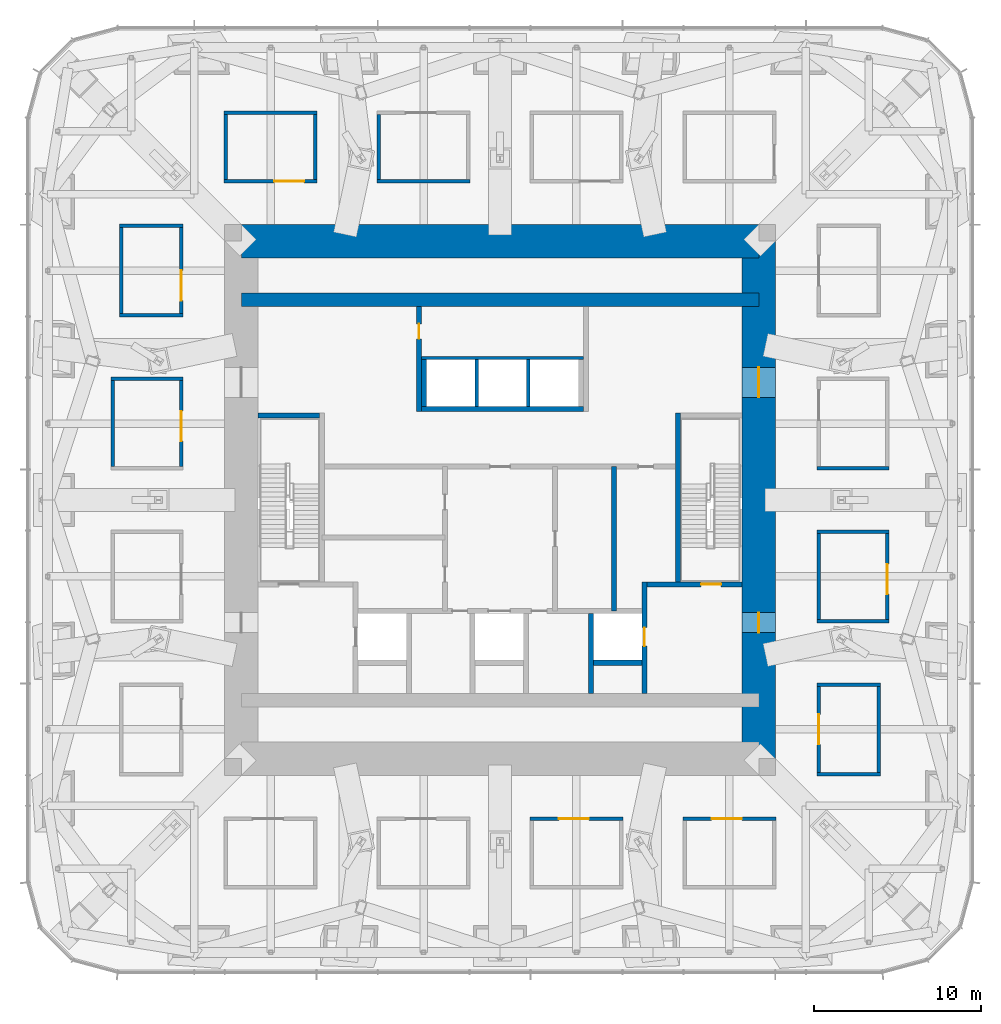
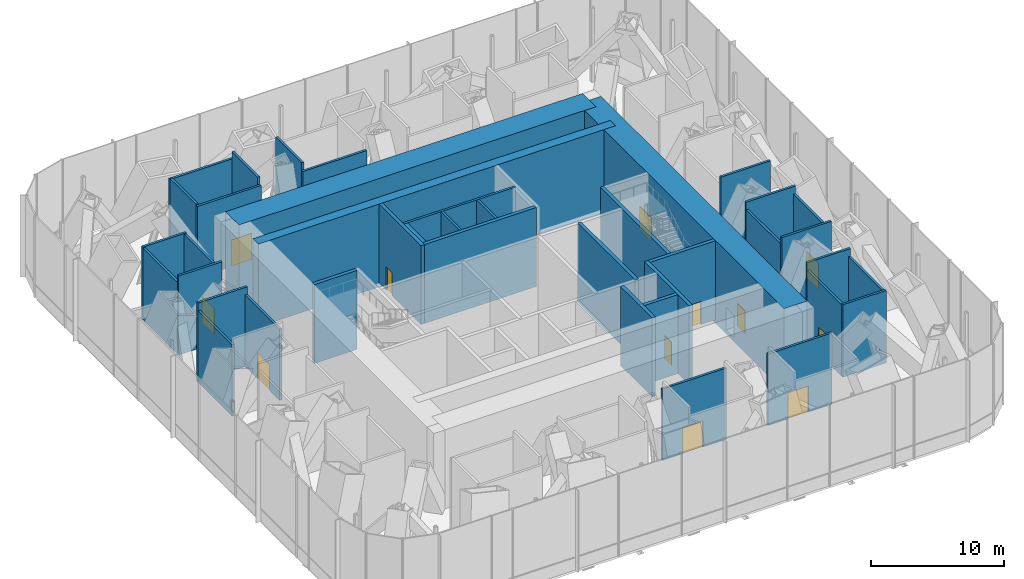
# One storey, part 13 of 16: 40 walls, 12 doors, 12 openings.
"""IFC4 building model written with IfcOpenShell, lengths in metres."""

from ifc_helpers import new_model, si_unit, direction, frame, frame_2d, origin, place, context, subcontext, project, spatial, rectangle, extrude, material, layer, layer_set, type_object, element, fill, save


model = new_model("IFC4")

# Units and contexts
model_context = context("Model", 3, precision=1e-05, world=origin(), true_north=direction((0.0, 1.0)))
body_context = subcontext(model_context, "Body", "Model", "MODEL_VIEW")
ifc_project = project(units=[si_unit("LENGTHUNIT", "METRE"), si_unit("AREAUNIT", "SQUARE_METRE"), si_unit("VOLUMEUNIT", "CUBIC_METRE"), si_unit("PLANEANGLEUNIT", "RADIAN"), si_unit("MASSUNIT", "GRAM", prefix="KILO")], contexts=[model_context])

# Site, building, storey
site_placement = place(None, origin())
site = spatial("IfcSite", under=ifc_project, at=site_placement, CompositionType="ELEMENT")
building_placement = place(site_placement, origin())
building = spatial("IfcBuilding", under=site, at=building_placement, Name="Khuree Lantern Residences", CompositionType="ELEMENT")
storey_placement = place(building_placement, frame((0.0, 0.0, 192.0)))
storey = spatial("IfcBuildingStorey", under=building, at=storey_placement, Name="L48", CompositionType="ELEMENT", Elevation=192.0)

# Wall, opening, door
ifc_material_1 = material(Name="Dense concrete blockwork", Category="masonry")
ifc_layer_1 = layer(ifc_material_1, 0.300048828125)
ifc_layer_set_1 = layer_set([ifc_layer_1], Name="CORE PARTITION WALL CPW300 EI 120")
wall_type_1 = type_object("IfcWallType", Name="CORE PARTITION WALL CPW300 EI 120", PredefinedType="PARTITIONING", material=ifc_layer_set_1)
wall_1_placement = place(storey_placement, frame((8.64990234375, -11.60009765625, 0.0), z_axis=(0.0, 0.0, 1.0), x_axis=(0.0, 1.0, 0.0)))
wall_1 = element("IfcWall", 1, at=wall_1_placement, inside=storey, type_object=wall_type_1, Name="L48 CORE WALL FL2E", PredefinedType="PARTITIONING", context=body_context, shape_type="SweptSolid", body=[
    extrude(rectangle(XDim=6.7001953125, YDim=0.300048828125, at=frame_2d((3.35009765625, 0.0))), origin(), (0.0, 0.0, 1.0), 7.25),
])
opening_1_placement = place(wall_1_placement, frame((2.85009765625, 0.0, 0.0)))
opening_1 = element("IfcOpeningElement", 2, at=opening_1_placement, cuts=wall_1, Name="Opening 48-008", PredefinedType="OPENING", context=body_context, shape_type="SweptSolid", body=[
    extrude(rectangle(XDim=1.10009765625, YDim=2.10009765625, at=frame_2d((0.550048828125, 1.050048828125))), frame((0.0, 0.16015625, 0.0), z_axis=(0.0, -1.0, 0.0), x_axis=(1.0, 0.0, 0.0)), (0.0, 0.0, 1.0), 0.320068359375),
])
ifc_material_2 = material(Name="Stainless steel lift landing door", Category="steel")
door_type_1 = type_object("IfcDoorType", Name="LIFT LANDING DOOR 1100X2100 E 120", OperationType="DOUBLE_DOOR_SLIDING", PredefinedType="DOOR", material=ifc_material_2)
door_1_placement = place(opening_1_placement, origin())
door_1 = element("IfcDoor", 3, at=door_1_placement, inside=storey, type_object=door_type_1, Name="Landing door FL2 48-008", OperationType="DOUBLE_DOOR_SLIDING", OverallHeight=2.10009765625, OverallWidth=1.10009765625, PredefinedType="DOOR", context=body_context, shape_type="SweptSolid", body=[
    extrude(rectangle(XDim=1.10009765625, YDim=2.10009765625, at=frame_2d((0.550048828125, 1.050048828125))), frame((0.0, 0.02490234375, 0.0), z_axis=(0.0, -1.0, 0.0), x_axis=(1.0, 0.0, 0.0)), (0.0, 0.0, 1.0), 0.050048828125),
])
fill(opening_1, door_1)

# Walls
wall_2_placement = place(storey_placement, frame((5.449951171875, -11.60009765625, 0.0), z_axis=(0.0, 0.0, 1.0), x_axis=(0.0, 1.0, 0.0)))
element("IfcWall", 4, at=wall_2_placement, inside=storey, type_object=wall_type_1, Name="L48 CORE WALL FL2W", PredefinedType="PARTITIONING", context=body_context, shape_type="SweptSolid", body=[
    extrude(rectangle(XDim=4.800048828125, YDim=0.300048828125, at=frame_2d((2.39990234375, 0.0))), origin(), (0.0, 0.0, 1.0), 7.25),
])
wall_3_placement = place(storey_placement, frame((5.60009765625, -9.75, 0.0), z_axis=(0.0, 0.0, 1.0), x_axis=(1.0, 0.0, 0.0)))
element("IfcWall", 5, at=wall_3_placement, inside=storey, type_object=wall_type_1, Name="L48 CORE WALL FL2S", PredefinedType="PARTITIONING", context=body_context, shape_type="SweptSolid", body=[
    extrude(rectangle(XDim=2.89990234375, YDim=0.300048828125, at=frame_2d((1.449951171875, 0.0))), origin(), (0.0, 0.0, 1.0), 7.25),
])
wall_4_placement = place(storey_placement, frame((-4.699951171875, 5.449951171875, 0.0), z_axis=(0.0, 0.0, 1.0), x_axis=(1.0, 0.0, 0.0)))
element("IfcWall", 6, at=wall_4_placement, inside=storey, type_object=wall_type_1, Name="L48 CORE WALL PHS", PredefinedType="PARTITIONING", context=body_context, shape_type="SweptSolid", body=[
    extrude(rectangle(XDim=9.699951171875, YDim=0.300048828125, at=frame_2d((4.85009765625, 0.0))), origin(), (0.0, 0.0, 1.0), 7.25),
])
wall_5_placement = place(storey_placement, frame((-4.550048828125, 5.60009765625, 0.0), z_axis=(0.0, 0.0, 1.0), x_axis=(0.0, 1.0, 0.0)))
element("IfcWall", 7, at=wall_5_placement, inside=storey, type_object=wall_type_1, Name="L48 CORE WALL PHW", PredefinedType="PARTITIONING", context=body_context, shape_type="SweptSolid", body=[
    extrude(rectangle(XDim=2.7998046875, YDim=0.300048828125, at=frame_2d((1.39990234375, 0.0))), origin(), (0.0, 0.0, 1.0), 7.25),
])
wall_6_placement = place(storey_placement, frame((6.833984375, -6.64990234375, 0.0), z_axis=(0.0, 0.0, 1.0), x_axis=(0.0, 1.0, 0.0)))
element("IfcWall", 8, at=wall_6_placement, inside=storey, type_object=wall_type_1, Name="L48 CORE WALL EV", PredefinedType="PARTITIONING", context=body_context, shape_type="SweptSolid", body=[
    extrude(rectangle(XDim=8.64990234375, YDim=0.300048828125, at=frame_2d((4.324951171875, 0.0))), origin(), (0.0, 0.0, 1.0), 7.25),
])

# Wall, opening, door
wall_7_placement = place(storey_placement, frame((-4.85009765625, 5.300048828125, 0.0), z_axis=(0.0, 0.0, 1.0), x_axis=(0.0, 1.0, 0.0)))
wall_7 = element("IfcWall", 9, at=wall_7_placement, inside=storey, type_object=wall_type_1, Name="L48 CORE WALL NW", PredefinedType="PARTITIONING", context=body_context, shape_type="SweptSolid", body=[
    extrude(rectangle(XDim=6.300048828125, YDim=0.300048828125, at=frame_2d((3.14990234375, 0.0))), origin(), (0.0, 0.0, 1.0), 7.25),
])
opening_2_placement = place(wall_7_placement, frame((4.35009765625, 0.0, 0.0)))
opening_2 = element("IfcOpeningElement", 10, at=opening_2_placement, cuts=wall_7, Name="Opening 48-017", PredefinedType="OPENING", context=body_context, shape_type="SweptSolid", body=[
    extrude(rectangle(XDim=0.89990234375, YDim=2.10009765625, at=frame_2d((0.449951171875, 1.050048828125))), frame((0.0, 0.16015625, 0.0), z_axis=(0.0, -1.0, 0.0), x_axis=(1.0, 0.0, 0.0)), (0.0, 0.0, 1.0), 0.320068359375),
])
ifc_material_3 = material(Name="Timber door leaf in hardwood frame", Category="wood")
door_type_2 = type_object("IfcDoorType", Name="DOOR 900X2100 RIGHT HAND", OperationType="SINGLE_SWING_RIGHT", PredefinedType="DOOR", material=ifc_material_3)
door_2_placement = place(opening_2_placement, origin())
door_2 = element("IfcDoor", 11, at=door_2_placement, inside=storey, type_object=door_type_2, Name="Store door 48-017", OperationType="SINGLE_SWING_RIGHT", OverallHeight=2.10009765625, OverallWidth=0.89990234375, PredefinedType="DOOR", context=body_context, shape_type="SweptSolid", body=[
    extrude(rectangle(XDim=0.89990234375, YDim=2.10009765625, at=frame_2d((0.449951171875, 1.050048828125))), frame((0.0, 0.02490234375, 0.0), z_axis=(0.0, -1.0, 0.0), x_axis=(1.0, 0.0, 0.0)), (0.0, 0.0, 1.0), 0.050048828125),
])
fill(opening_2, door_2)

# Wall, openings, doors
ifc_material_4 = material(Name="Concrete C70/85", Category="concrete")
ifc_layer_2 = layer(ifc_material_4, 2.0)
ifc_layer_set_2 = layer_set([ifc_layer_2], Name="CW2000-C70 CORE WALL C70 2000")
wall_type_2 = type_object("IfcWallType", Name="CW2000-C70 CORE WALL C70 2000", PredefinedType="SHEAR", material=ifc_layer_set_2)
wall_8_placement = place(storey_placement, frame((15.5, -15.5, -0.35009765625), z_axis=(0.0, 0.0, 1.0), x_axis=(0.0, 1.0, 0.0)))
wall_8 = element("IfcWall", 12, at=wall_8_placement, inside=storey, type_object=wall_type_2, Name="Core wall E", PredefinedType="SHEAR", context=body_context, shape_type="SweptSolid", body=[
    extrude(rectangle(XDim=31.0, YDim=2.0, at=frame_2d((15.5, 0.0))), origin(), (0.0, 0.0, 1.0), 7.60009765625),
])
opening_3_placement = place(wall_8_placement, frame((7.550048828125, 0.0, 0.35009765625)))
opening_3 = element("IfcOpeningElement", 13, at=opening_3_placement, cuts=wall_8, Name="Opening 48-005", PredefinedType="OPENING", context=body_context, shape_type="SweptSolid", body=[
    extrude(rectangle(XDim=1.199951171875, YDim=2.10009765625, at=frame_2d((0.60009765625, 1.050048828125))), frame((0.0, 1.010009765625, 0.0), z_axis=(0.0, -1.0, 0.0), x_axis=(1.0, 0.0, 0.0)), (0.0, 0.0, 1.0), 2.02001953125),
])
opening_4_placement = place(wall_8_placement, frame((21.64990234375, 0.0, 0.35009765625)))
opening_4 = element("IfcOpeningElement", 14, at=opening_4_placement, cuts=wall_8, Name="Opening 48-006", PredefinedType="OPENING", context=body_context, shape_type="SweptSolid", body=[
    extrude(rectangle(XDim=1.800048828125, YDim=2.10009765625, at=frame_2d((0.89990234375, 1.050048828125))), frame((0.0, 1.010009765625, 0.0), z_axis=(0.0, -1.0, 0.0), x_axis=(1.0, 0.0, 0.0)), (0.0, 0.0, 1.0), 2.02001953125),
])
ifc_material_5 = material(Name="Steel door leaf in steel frame", Category="steel")
door_type_3 = type_object("IfcDoorType", Name="LOBBY DOOR 1200X2100 EI 120 RIGHT HAND", OperationType="SINGLE_SWING_RIGHT", PredefinedType="DOOR", material=ifc_material_5)
door_3_placement = place(opening_3_placement, origin())
door_3 = element("IfcDoor", 15, at=door_3_placement, inside=storey, type_object=door_type_3, Name="Firefighting lobby door 48-005", OperationType="SINGLE_SWING_RIGHT", OverallHeight=2.10009765625, OverallWidth=1.199951171875, PredefinedType="DOOR", context=body_context, shape_type="SweptSolid", body=[
    extrude(rectangle(XDim=1.199951171875, YDim=2.10009765625, at=frame_2d((0.60009765625, 1.050048828125))), frame((0.0, 0.02490234375, 0.0), z_axis=(0.0, -1.0, 0.0), x_axis=(1.0, 0.0, 0.0)), (0.0, 0.0, 1.0), 0.050048828125),
])
fill(opening_3, door_3)
door_type_4 = type_object("IfcDoorType", Name="LOBBY DOUBLE DOOR 1800X2100 EI 60", OperationType="DOUBLE_DOOR_SINGLE_SWING", PredefinedType="DOOR", material=ifc_material_5)
door_4_placement = place(opening_4_placement, origin())
door_4 = element("IfcDoor", 16, at=door_4_placement, inside=storey, type_object=door_type_4, Name="Lift lobby door 48-006", OperationType="DOUBLE_DOOR_SINGLE_SWING", OverallHeight=2.10009765625, OverallWidth=1.800048828125, PredefinedType="DOOR", context=body_context, shape_type="SweptSolid", body=[
    extrude(rectangle(XDim=1.800048828125, YDim=2.10009765625, at=frame_2d((0.89990234375, 1.050048828125))), frame((0.0, 0.02490234375, 0.0), z_axis=(0.0, -1.0, 0.0), x_axis=(1.0, 0.0, 0.0)), (0.0, 0.0, 1.0), 0.050048828125),
])
fill(opening_4, door_4)

# Wall
wall_9_placement = place(storey_placement, frame((-15.5, 15.5, -0.35009765625), z_axis=(0.0, 0.0, 1.0), x_axis=(1.0, 0.0, 0.0)))
element("IfcWall", 17, at=wall_9_placement, inside=storey, type_object=wall_type_2, Name="Core wall N", PredefinedType="SHEAR", context=body_context, shape_type="SweptSolid", body=[
    extrude(rectangle(XDim=31.0, YDim=2.0, at=frame_2d((15.5, 0.0))), origin(), (0.0, 0.0, 1.0), 7.60009765625),
])

# Wall, opening, door
ifc_layer_3 = layer(ifc_material_1, 0.199951171875)
ifc_layer_set_3 = layer_set([ifc_layer_3], Name="FIRE-RATED ROOM WALL FRW200 EI 120")
wall_type_3 = type_object("IfcWallType", Name="FIRE-RATED ROOM WALL FRW200 EI 120", PredefinedType="SOLIDWALL", material=ifc_layer_set_3)
wall_10_placement = place(storey_placement, frame((1.800048828125, -19.10009765625, 0.0), z_axis=(0.0, 0.0, 1.0), x_axis=(1.0, 0.0, 0.0)))
wall_10 = element("IfcWall", 18, at=wall_10_placement, inside=storey, type_object=wall_type_3, Name="L48 ROOM WALL 15", PredefinedType="SOLIDWALL", context=body_context, shape_type="SweptSolid", body=[
    extrude(rectangle(XDim=5.56005859375, YDim=0.199951171875, at=frame_2d((2.780029296875, 0.0))), origin(), (0.0, 0.0, 1.0), 6.56005859375),
])
opening_5_placement = place(wall_10_placement, frame((1.721923828125, 0.0, 0.0)))
opening_5 = element("IfcOpeningElement", 19, at=opening_5_placement, cuts=wall_10, Name="Opening 48-031", PredefinedType="OPENING", context=body_context, shape_type="SweptSolid", body=[
    extrude(rectangle(XDim=1.800048828125, YDim=2.39990234375, at=frame_2d((0.89990234375, 1.199951171875))), frame((0.0, 0.10986328125, 0.0), z_axis=(0.0, -1.0, 0.0), x_axis=(1.0, 0.0, 0.0)), (0.0, 0.0, 1.0), 0.219970703125),
])
door_type_5 = type_object("IfcDoorType", Name="PLANT ROOM DOOR 1800X2400 EI 60", OperationType="DOUBLE_DOOR_SINGLE_SWING", PredefinedType="DOOR", material=ifc_material_5)
door_5_placement = place(opening_5_placement, origin())
door_5 = element("IfcDoor", 20, at=door_5_placement, inside=storey, type_object=door_type_5, Name="Lift motor plant room door 48-031", OperationType="DOUBLE_DOOR_SINGLE_SWING", OverallHeight=2.39990234375, OverallWidth=1.800048828125, PredefinedType="DOOR", context=body_context, shape_type="SweptSolid", body=[
    extrude(rectangle(XDim=1.800048828125, YDim=2.39990234375, at=frame_2d((0.89990234375, 1.199951171875))), frame((0.0, 0.02490234375, 0.0), z_axis=(0.0, -1.0, 0.0), x_axis=(1.0, 0.0, 0.0)), (0.0, 0.0, 1.0), 0.050048828125),
])
fill(opening_5, door_5)

wall_11_placement = place(storey_placement, frame((10.9599609375, -19.10009765625, 0.0), z_axis=(0.0, 0.0, 1.0), x_axis=(1.0, 0.0, 0.0)))
wall_11 = element("IfcWall", 21, at=wall_11_placement, inside=storey, type_object=wall_type_3, Name="L48 ROOM WALL 16", PredefinedType="SOLIDWALL", context=body_context, shape_type="SweptSolid", body=[
    extrude(rectangle(XDim=5.56005859375, YDim=0.199951171875, at=frame_2d((2.780029296875, 0.0))), origin(), (0.0, 0.0, 1.0), 6.56005859375),
])
opening_6_placement = place(wall_11_placement, frame((1.721923828125, 0.0, 0.0)))
opening_6 = element("IfcOpeningElement", 22, at=opening_6_placement, cuts=wall_11, Name="Opening 48-033", PredefinedType="OPENING", context=body_context, shape_type="SweptSolid", body=[
    extrude(rectangle(XDim=1.800048828125, YDim=2.39990234375, at=frame_2d((0.89990234375, 1.199951171875))), frame((0.0, 0.10986328125, 0.0), z_axis=(0.0, -1.0, 0.0), x_axis=(1.0, 0.0, 0.0)), (0.0, 0.0, 1.0), 0.219970703125),
])
door_6_placement = place(opening_6_placement, origin())
door_6 = element("IfcDoor", 23, at=door_6_placement, inside=storey, type_object=door_type_5, Name="Building management room door 48-033", OperationType="DOUBLE_DOOR_SINGLE_SWING", OverallHeight=2.39990234375, OverallWidth=1.800048828125, PredefinedType="DOOR", context=body_context, shape_type="SweptSolid", body=[
    extrude(rectangle(XDim=1.800048828125, YDim=2.39990234375, at=frame_2d((0.89990234375, 1.199951171875))), frame((0.0, 0.02490234375, 0.0), z_axis=(0.0, -1.0, 0.0), x_axis=(1.0, 0.0, 0.0)), (0.0, 0.0, 1.0), 0.050048828125),
])
fill(opening_6, door_6)

# Wall
wall_12_placement = place(storey_placement, frame((19.0, -16.419921875, 0.0), z_axis=(0.0, 0.0, 1.0), x_axis=(1.0, 0.0, 0.0)))
element("IfcWall", 24, at=wall_12_placement, inside=storey, type_object=wall_type_3, Name="L48 ROOM WALL 18", PredefinedType="SOLIDWALL", context=body_context, shape_type="SweptSolid", body=[
    extrude(rectangle(XDim=3.780029296875, YDim=0.199951171875, at=frame_2d((1.89013671875, 0.0))), origin(), (0.0, 0.0, 1.0), 6.64990234375),
])

# Wall, opening, door
wall_13_placement = place(storey_placement, frame((19.10009765625, -16.320068359375, 0.0), z_axis=(0.0, 0.0, 1.0), x_axis=(0.0, 1.0, 0.0)))
wall_13 = element("IfcWall", 25, at=wall_13_placement, inside=storey, type_object=wall_type_3, Name="L48 ROOM WALL 21", PredefinedType="SOLIDWALL", context=body_context, shape_type="SweptSolid", body=[
    extrude(rectangle(XDim=5.16015625, YDim=0.199951171875, at=frame_2d((2.580078125, 0.0))), origin(), (0.0, 0.0, 1.0), 6.56005859375),
])
opening_7_placement = place(wall_13_placement, frame((1.677978515625, 0.0, 0.0)))
opening_7 = element("IfcOpeningElement", 26, at=opening_7_placement, cuts=wall_13, Name="Opening 48-020", PredefinedType="OPENING", context=body_context, shape_type="SweptSolid", body=[
    extrude(rectangle(XDim=1.800048828125, YDim=2.39990234375, at=frame_2d((0.89990234375, 1.199951171875))), frame((0.0, 0.10986328125, 0.0), z_axis=(0.0, -1.0, 0.0), x_axis=(1.0, 0.0, 0.0)), (0.0, 0.0, 1.0), 0.219970703125),
])
door_7_placement = place(opening_7_placement, origin())
door_7 = element("IfcDoor", 27, at=door_7_placement, inside=storey, type_object=door_type_5, Name="Transformer room door 48-020", OperationType="DOUBLE_DOOR_SINGLE_SWING", OverallHeight=2.39990234375, OverallWidth=1.800048828125, PredefinedType="DOOR", context=body_context, shape_type="SweptSolid", body=[
    extrude(rectangle(XDim=1.800048828125, YDim=2.39990234375, at=frame_2d((0.89990234375, 1.199951171875))), frame((0.0, 0.02490234375, 0.0), z_axis=(0.0, -1.0, 0.0), x_axis=(1.0, 0.0, 0.0)), (0.0, 0.0, 1.0), 0.050048828125),
])
fill(opening_7, door_7)

# Walls
wall_14_placement = place(storey_placement, frame((22.679931640625, -16.320068359375, 0.0), z_axis=(0.0, 0.0, 1.0), x_axis=(0.0, 1.0, 0.0)))
element("IfcWall", 28, at=wall_14_placement, inside=storey, type_object=wall_type_3, Name="L48 ROOM WALL 22", PredefinedType="SOLIDWALL", context=body_context, shape_type="SweptSolid", body=[
    extrude(rectangle(XDim=5.16015625, YDim=0.199951171875, at=frame_2d((2.580078125, 0.0))), origin(), (0.0, 0.0, 1.0), 6.56005859375),
])
wall_15_placement = place(storey_placement, frame((19.0, -11.06005859375, 0.0), z_axis=(0.0, 0.0, 1.0), x_axis=(1.0, 0.0, 0.0)))
element("IfcWall", 29, at=wall_15_placement, inside=storey, type_object=wall_type_3, Name="L48 ROOM WALL 24", PredefinedType="SOLIDWALL", context=body_context, shape_type="SweptSolid", body=[
    extrude(rectangle(XDim=3.780029296875, YDim=0.199951171875, at=frame_2d((1.89013671875, 0.0))), origin(), (0.0, 0.0, 1.0), 7.25),
])
wall_16_placement = place(storey_placement, frame((19.0, -7.260009765625, 0.0), z_axis=(0.0, 0.0, 1.0), x_axis=(1.0, 0.0, 0.0)))
element("IfcWall", 30, at=wall_16_placement, inside=storey, type_object=wall_type_3, Name="L48 ROOM WALL 26", PredefinedType="SOLIDWALL", context=body_context, shape_type="SweptSolid", body=[
    extrude(rectangle(XDim=4.300048828125, YDim=0.199951171875, at=frame_2d((2.14990234375, 0.0))), origin(), (0.0, 0.0, 1.0), 7.25),
])
wall_17_placement = place(storey_placement, frame((19.10009765625, -7.159912109375, 0.0), z_axis=(0.0, 0.0, 1.0), x_axis=(0.0, 1.0, 0.0)))
element("IfcWall", 31, at=wall_17_placement, inside=storey, type_object=wall_type_3, Name="L48 ROOM WALL 29", PredefinedType="SOLIDWALL", context=body_context, shape_type="SweptSolid", body=[
    extrude(rectangle(XDim=5.159912109375, YDim=0.199951171875, at=frame_2d((2.580078125, 0.0))), origin(), (0.0, 0.0, 1.0), 6.56005859375),
])

# Wall, opening, door
wall_18_placement = place(storey_placement, frame((23.199951171875, -7.159912109375, 0.0), z_axis=(0.0, 0.0, 1.0), x_axis=(0.0, 1.0, 0.0)))
wall_18 = element("IfcWall", 32, at=wall_18_placement, inside=storey, type_object=wall_type_3, Name="L48 ROOM WALL 30", PredefinedType="SOLIDWALL", context=body_context, shape_type="SweptSolid", body=[
    extrude(rectangle(XDim=5.159912109375, YDim=0.199951171875, at=frame_2d((2.580078125, 0.0))), origin(), (0.0, 0.0, 1.0), 6.56005859375),
])
opening_8_placement = place(wall_18_placement, frame((1.52197265625, 0.0, 0.0)))
opening_8 = element("IfcOpeningElement", 33, at=opening_8_placement, cuts=wall_18, Name="Opening 48-018", PredefinedType="OPENING", context=body_context, shape_type="SweptSolid", body=[
    extrude(rectangle(XDim=1.800048828125, YDim=2.39990234375, at=frame_2d((0.89990234375, 1.199951171875))), frame((0.0, 0.10986328125, 0.0), z_axis=(0.0, -1.0, 0.0), x_axis=(1.0, 0.0, 0.0)), (0.0, 0.0, 1.0), 0.219970703125),
])
door_8_placement = place(opening_8_placement, origin())
door_8 = element("IfcDoor", 34, at=door_8_placement, inside=storey, type_object=door_type_5, Name="Booster pump plant room door 48-018", OperationType="DOUBLE_DOOR_SINGLE_SWING", OverallHeight=2.39990234375, OverallWidth=1.800048828125, PredefinedType="DOOR", context=body_context, shape_type="SweptSolid", body=[
    extrude(rectangle(XDim=1.800048828125, YDim=2.39990234375, at=frame_2d((0.89990234375, 1.199951171875))), frame((0.0, 0.02490234375, 0.0), z_axis=(0.0, -1.0, 0.0), x_axis=(1.0, 0.0, 0.0)), (0.0, 0.0, 1.0), 0.050048828125),
])
fill(opening_8, door_8)

# Walls
for number, where, z_axis, x_axis, name in (
    (35, (19.0, -1.89990234375, 0.0), (0.0, 0.0, 1.0), (1.0, 0.0, 0.0), "L48 ROOM WALL 32"),
    (36, (19.0, 1.89990234375, 0.0), (0.0, 0.0, 1.0), (1.0, 0.0, 0.0), "L48 ROOM WALL 34"),
):
    element("IfcWall", number, at=place(storey_placement, frame(where, z_axis=z_axis, x_axis=x_axis)), inside=storey, type_object=wall_type_3, Name=name, PredefinedType="SOLIDWALL", context=body_context, shape_type="SweptSolid", body=[
        extrude(rectangle(XDim=4.300048828125, YDim=0.199951171875, at=frame_2d((2.14990234375, 0.0))), origin(), (0.0, 0.0, 1.0), 7.25),
    ])
wall_19_placement = place(storey_placement, frame((-23.199951171875, 2.0, 0.0), z_axis=(0.0, 0.0, 1.0), x_axis=(0.0, 1.0, 0.0)))
element("IfcWall", 37, at=wall_19_placement, inside=storey, type_object=wall_type_3, Name="L48 ROOM WALL 35", PredefinedType="SOLIDWALL", context=body_context, shape_type="SweptSolid", body=[
    extrude(rectangle(XDim=5.159912109375, YDim=0.199951171875, at=frame_2d((2.580078125, 0.0))), origin(), (0.0, 0.0, 1.0), 6.56005859375),
])

# Wall, opening, door
wall_20_placement = place(storey_placement, frame((-19.10009765625, 2.0, 0.0), z_axis=(0.0, 0.0, 1.0), x_axis=(0.0, 1.0, 0.0)))
wall_20 = element("IfcWall", 38, at=wall_20_placement, inside=storey, type_object=wall_type_3, Name="L48 ROOM WALL 36", PredefinedType="SOLIDWALL", context=body_context, shape_type="SweptSolid", body=[
    extrude(rectangle(XDim=5.159912109375, YDim=0.199951171875, at=frame_2d((2.580078125, 0.0))), origin(), (0.0, 0.0, 1.0), 6.56005859375),
])
opening_9_placement = place(wall_20_placement, frame((1.52197265625, 0.0, 0.0)))
opening_9 = element("IfcOpeningElement", 39, at=opening_9_placement, cuts=wall_20, Name="Opening 48-026", PredefinedType="OPENING", context=body_context, shape_type="SweptSolid", body=[
    extrude(rectangle(XDim=1.800048828125, YDim=2.39990234375, at=frame_2d((0.89990234375, 1.199951171875))), frame((0.0, 0.10986328125, 0.0), z_axis=(0.0, -1.0, 0.0), x_axis=(1.0, 0.0, 0.0)), (0.0, 0.0, 1.0), 0.219970703125),
])
door_9_placement = place(opening_9_placement, origin())
door_9 = element("IfcDoor", 40, at=door_9_placement, inside=storey, type_object=door_type_5, Name="Transfer water tank room door 48-026", OperationType="DOUBLE_DOOR_SINGLE_SWING", OverallHeight=2.39990234375, OverallWidth=1.800048828125, PredefinedType="DOOR", context=body_context, shape_type="SweptSolid", body=[
    extrude(rectangle(XDim=1.800048828125, YDim=2.39990234375, at=frame_2d((0.89990234375, 1.199951171875))), frame((0.0, 0.02490234375, 0.0), z_axis=(0.0, -1.0, 0.0), x_axis=(1.0, 0.0, 0.0)), (0.0, 0.0, 1.0), 0.050048828125),
])
fill(opening_9, door_9)

# Walls
wall_21_placement = place(storey_placement, frame((-23.300048828125, 7.260009765625, 0.0), z_axis=(0.0, 0.0, 1.0), x_axis=(1.0, 0.0, 0.0)))
element("IfcWall", 41, at=wall_21_placement, inside=storey, type_object=wall_type_3, Name="L48 ROOM WALL 39", PredefinedType="SOLIDWALL", context=body_context, shape_type="SweptSolid", body=[
    extrude(rectangle(XDim=4.300048828125, YDim=0.199951171875, at=frame_2d((2.14990234375, 0.0))), origin(), (0.0, 0.0, 1.0), 7.25),
])
wall_22_placement = place(storey_placement, frame((-22.780029296875, 11.06005859375, 0.0), z_axis=(0.0, 0.0, 1.0), x_axis=(1.0, 0.0, 0.0)))
element("IfcWall", 42, at=wall_22_placement, inside=storey, type_object=wall_type_3, Name="L48 ROOM WALL 41", PredefinedType="SOLIDWALL", context=body_context, shape_type="SweptSolid", body=[
    extrude(rectangle(XDim=3.780029296875, YDim=0.199951171875, at=frame_2d((1.89013671875, 0.0))), origin(), (0.0, 0.0, 1.0), 7.25),
])
wall_23_placement = place(storey_placement, frame((-22.679931640625, 11.159912109375, 0.0), z_axis=(0.0, 0.0, 1.0), x_axis=(0.0, 1.0, 0.0)))
element("IfcWall", 43, at=wall_23_placement, inside=storey, type_object=wall_type_3, Name="L48 ROOM WALL 43", PredefinedType="SOLIDWALL", context=body_context, shape_type="SweptSolid", body=[
    extrude(rectangle(XDim=5.16015625, YDim=0.199951171875, at=frame_2d((2.580078125, 0.0))), origin(), (0.0, 0.0, 1.0), 6.56005859375),
])

# Wall, opening, door
wall_24_placement = place(storey_placement, frame((-19.10009765625, 11.159912109375, 0.0), z_axis=(0.0, 0.0, 1.0), x_axis=(0.0, 1.0, 0.0)))
wall_24 = element("IfcWall", 44, at=wall_24_placement, inside=storey, type_object=wall_type_3, Name="L48 ROOM WALL 44", PredefinedType="SOLIDWALL", context=body_context, shape_type="SweptSolid", body=[
    extrude(rectangle(XDim=5.16015625, YDim=0.199951171875, at=frame_2d((2.580078125, 0.0))), origin(), (0.0, 0.0, 1.0), 6.56005859375),
])
opening_10_placement = place(wall_24_placement, frame((0.7880859375, 0.0, 0.0)))
opening_10 = element("IfcOpeningElement", 45, at=opening_10_placement, cuts=wall_24, Name="Opening 48-028", PredefinedType="OPENING", context=body_context, shape_type="SweptSolid", body=[
    extrude(rectangle(XDim=1.800048828125, YDim=2.39990234375, at=frame_2d((0.89990234375, 1.199951171875))), frame((0.0, 0.10986328125, 0.0), z_axis=(0.0, -1.0, 0.0), x_axis=(1.0, 0.0, 0.0)), (0.0, 0.0, 1.0), 0.219970703125),
])
door_10_placement = place(opening_10_placement, origin())
door_10 = element("IfcDoor", 46, at=door_10_placement, inside=storey, type_object=door_type_5, Name="Electrical switch room door 48-028", OperationType="DOUBLE_DOOR_SINGLE_SWING", OverallHeight=2.39990234375, OverallWidth=1.800048828125, PredefinedType="DOOR", context=body_context, shape_type="SweptSolid", body=[
    extrude(rectangle(XDim=1.800048828125, YDim=2.39990234375, at=frame_2d((0.89990234375, 1.199951171875))), frame((0.0, 0.02490234375, 0.0), z_axis=(0.0, -1.0, 0.0), x_axis=(1.0, 0.0, 0.0)), (0.0, 0.0, 1.0), 0.050048828125),
])
fill(opening_10, door_10)

# Wall
wall_25_placement = place(storey_placement, frame((-22.780029296875, 16.419921875, 0.0), z_axis=(0.0, 0.0, 1.0), x_axis=(1.0, 0.0, 0.0)))
element("IfcWall", 47, at=wall_25_placement, inside=storey, type_object=wall_type_3, Name="L48 ROOM WALL 47", PredefinedType="SOLIDWALL", context=body_context, shape_type="SweptSolid", body=[
    extrude(rectangle(XDim=3.780029296875, YDim=0.199951171875, at=frame_2d((1.89013671875, 0.0))), origin(), (0.0, 0.0, 1.0), 6.64990234375),
])

# Wall, opening, door
wall_26_placement = place(storey_placement, frame((-16.52001953125, 19.10009765625, 0.0), z_axis=(0.0, 0.0, 1.0), x_axis=(1.0, 0.0, 0.0)))
wall_26 = element("IfcWall", 48, at=wall_26_placement, inside=storey, type_object=wall_type_3, Name="L48 ROOM WALL 49", PredefinedType="SOLIDWALL", context=body_context, shape_type="SweptSolid", body=[
    extrude(rectangle(XDim=5.56005859375, YDim=0.199951171875, at=frame_2d((2.780029296875, 0.0))), origin(), (0.0, 0.0, 1.0), 6.56005859375),
])
opening_11_placement = place(wall_26_placement, frame((2.98388671875, 0.0, 0.0)))
opening_11 = element("IfcOpeningElement", 49, at=opening_11_placement, cuts=wall_26, Name="Opening 48-025", PredefinedType="OPENING", context=body_context, shape_type="SweptSolid", body=[
    extrude(rectangle(XDim=1.800048828125, YDim=2.39990234375, at=frame_2d((0.89990234375, 1.199951171875))), frame((0.0, 0.10986328125, 0.0), z_axis=(0.0, -1.0, 0.0), x_axis=(1.0, 0.0, 0.0)), (0.0, 0.0, 1.0), 0.219970703125),
])
door_11_placement = place(opening_11_placement, origin())
door_11 = element("IfcDoor", 50, at=door_11_placement, inside=storey, type_object=door_type_5, Name="Sprinkler valve plant room door 48-025", OperationType="DOUBLE_DOOR_SINGLE_SWING", OverallHeight=2.39990234375, OverallWidth=1.800048828125, PredefinedType="DOOR", context=body_context, shape_type="SweptSolid", body=[
    extrude(rectangle(XDim=1.800048828125, YDim=2.39990234375, at=frame_2d((0.89990234375, 1.199951171875))), frame((0.0, 0.02490234375, 0.0), z_axis=(0.0, -1.0, 0.0), x_axis=(1.0, 0.0, 0.0)), (0.0, 0.0, 1.0), 0.050048828125),
])
fill(opening_11, door_11)

# Walls
wall_27_placement = place(storey_placement, frame((-7.360107421875, 19.10009765625, 0.0), z_axis=(0.0, 0.0, 1.0), x_axis=(1.0, 0.0, 0.0)))
element("IfcWall", 51, at=wall_27_placement, inside=storey, type_object=wall_type_3, Name="L48 ROOM WALL 50", PredefinedType="SOLIDWALL", context=body_context, shape_type="SweptSolid", body=[
    extrude(rectangle(XDim=5.56005859375, YDim=0.199951171875, at=frame_2d((2.780029296875, 0.0))), origin(), (0.0, 0.0, 1.0), 6.56005859375),
])
wall_28_placement = place(storey_placement, frame((-16.419921875, 19.199951171875, 0.0), z_axis=(0.0, 0.0, 1.0), x_axis=(0.0, 1.0, 0.0)))
element("IfcWall", 52, at=wall_28_placement, inside=storey, type_object=wall_type_3, Name="L48 ROOM WALL 53", PredefinedType="SOLIDWALL", context=body_context, shape_type="SweptSolid", body=[
    extrude(rectangle(XDim=3.900146484375, YDim=0.199951171875, at=frame_2d((1.9501953125, 0.0))), origin(), (0.0, 0.0, 1.0), 6.64990234375),
])
for number, where, z_axis, x_axis, name in (
    (53, (-11.06005859375, 19.199951171875, 0.0), (0.0, 0.0, 1.0), (0.0, 1.0, 0.0), "L48 ROOM WALL 54"),
    (54, (-7.260009765625, 19.199951171875, 0.0), (0.0, 0.0, 1.0), (0.0, 1.0, 0.0), "L48 ROOM WALL 55"),
):
    element("IfcWall", number, at=place(storey_placement, frame(where, z_axis=z_axis, x_axis=x_axis)), inside=storey, type_object=wall_type_3, Name=name, PredefinedType="SOLIDWALL", context=body_context, shape_type="SweptSolid", body=[
        extrude(rectangle(XDim=3.900146484375, YDim=0.199951171875, at=frame_2d((1.9501953125, 0.0))), origin(), (0.0, 0.0, 1.0), 7.25),
    ])
wall_29_placement = place(storey_placement, frame((-16.52001953125, 23.199951171875, 0.0), z_axis=(0.0, 0.0, 1.0), x_axis=(1.0, 0.0, 0.0)))
element("IfcWall", 55, at=wall_29_placement, inside=storey, type_object=wall_type_3, Name="L48 ROOM WALL 61", PredefinedType="SOLIDWALL", context=body_context, shape_type="SweptSolid", body=[
    extrude(rectangle(XDim=5.56005859375, YDim=0.199951171875, at=frame_2d((2.780029296875, 0.0))), origin(), (0.0, 0.0, 1.0), 6.56005859375),
])
ifc_layer_4 = layer(ifc_material_1, 0.199951171875)
ifc_layer_set_4 = layer_set([ifc_layer_4], Name="SHAFT WALL SHW200 EI 120")
wall_type_4 = type_object("IfcWallType", Name="SHAFT WALL SHW200 EI 120", PredefinedType="PARTITIONING", material=ifc_layer_set_4)
wall_30_placement = place(storey_placement, frame((-4.699951171875, 8.5, 0.0), z_axis=(0.0, 0.0, 1.0), x_axis=(1.0, 0.0, 0.0)))
element("IfcWall", 56, at=wall_30_placement, inside=storey, type_object=wall_type_4, Name="L48 CORE WALL PHN", PredefinedType="PARTITIONING", context=body_context, shape_type="SweptSolid", body=[
    extrude(rectangle(XDim=9.699951171875, YDim=0.199951171875, at=frame_2d((4.85009765625, 0.0))), origin(), (0.0, 0.0, 1.0), 7.25),
])
for number, where, z_axis, x_axis, name in (
    (57, (-1.39990234375, 5.60009765625, 0.0), (0.0, 0.0, 1.0), (0.0, 1.0, 0.0), "L48 CORE WALL PHD1"),
    (58, (1.699951171875, 5.60009765625, 0.0), (0.0, 0.0, 1.0), (0.0, 1.0, 0.0), "L48 CORE WALL PHD2"),
):
    element("IfcWall", number, at=place(storey_placement, frame(where, z_axis=z_axis, x_axis=x_axis)), inside=storey, type_object=wall_type_4, Name=name, PredefinedType="PARTITIONING", context=body_context, shape_type="SweptSolid", body=[
        extrude(rectangle(XDim=2.7998046875, YDim=0.199951171875, at=frame_2d((1.39990234375, 0.0))), origin(), (0.0, 0.0, 1.0), 7.25),
    ])
ifc_layer_5 = layer(ifc_material_4, 0.800048828125)
ifc_layer_set_5 = layer_set([ifc_layer_5], Name="SP800-C70 CORE SPINE WALL C70 800")
wall_type_5 = type_object("IfcWallType", Name="SP800-C70 CORE SPINE WALL C70 800", PredefinedType="SHEAR", material=ifc_layer_set_5)
wall_31_placement = place(storey_placement, frame((-15.5, 12.0, -0.35009765625), z_axis=(0.0, 0.0, 1.0), x_axis=(1.0, 0.0, 0.0)))
element("IfcWall", 59, at=wall_31_placement, inside=storey, type_object=wall_type_5, Name="Core wall SPN", PredefinedType="SHEAR", context=body_context, shape_type="SweptSolid", body=[
    extrude(rectangle(XDim=31.0, YDim=0.800048828125, at=frame_2d((15.5, 0.0))), origin(), (0.0, 0.0, 1.0), 7.60009765625),
])
ifc_material_6 = material(Name="Concrete C50/60", Category="concrete")
ifc_layer_6 = layer(ifc_material_6, 0.300048828125)
ifc_layer_set_6 = layer_set([ifc_layer_6], Name="STAIR WALL SRW300 C50/60 REI 240")
wall_type_6 = type_object("IfcWallType", Name="STAIR WALL SRW300 C50/60 REI 240", PredefinedType="SOLIDWALL", material=ifc_layer_set_6)
wall_32_placement = place(storey_placement, frame((-14.5, 5.050048828125, 0.0), z_axis=(0.0, 0.0, 1.0), x_axis=(1.0, 0.0, 0.0)))
element("IfcWall", 60, at=wall_32_placement, inside=storey, type_object=wall_type_6, Name="L48 STAIR WALL ST1N", PredefinedType="SOLIDWALL", context=body_context, shape_type="SweptSolid", body=[
    extrude(rectangle(XDim=3.699951171875, YDim=0.300048828125, at=frame_2d((1.85009765625, 0.0))), origin(), (0.0, 0.0, 1.0), 7.25),
])
wall_33_placement = place(storey_placement, frame((10.64990234375, -4.89990234375, 0.0), z_axis=(0.0, 0.0, 1.0), x_axis=(0.0, 1.0, 0.0)))
element("IfcWall", 61, at=wall_33_placement, inside=storey, type_object=wall_type_6, Name="L48 STAIR WALL ST2E", PredefinedType="SOLIDWALL", context=body_context, shape_type="SweptSolid", body=[
    extrude(rectangle(XDim=10.099853515625, YDim=0.300048828125, at=frame_2d((5.0498046875, 0.0))), origin(), (0.0, 0.0, 1.0), 7.25),
])

# Wall, opening, door
wall_34_placement = place(storey_placement, frame((14.5, -5.050048828125, 0.0), z_axis=(0.0, 0.0, 1.0), x_axis=(-1.0, 0.0, 0.0)))
wall_34 = element("IfcWall", 62, at=wall_34_placement, inside=storey, type_object=wall_type_6, Name="L48 STAIR WALL ST2S", PredefinedType="SOLIDWALL", context=body_context, shape_type="SweptSolid", body=[
    extrude(rectangle(XDim=5.699951171875, YDim=0.300048828125, at=frame_2d((2.85009765625, 0.0))), origin(), (0.0, 0.0, 1.0), 7.25),
])
opening_12_placement = place(wall_34_placement, frame((1.25, 0.0, 0.0)))
opening_12 = element("IfcOpeningElement", 63, at=opening_12_placement, cuts=wall_34, Name="Opening 48-004", PredefinedType="OPENING", context=body_context, shape_type="SweptSolid", body=[
    extrude(rectangle(XDim=1.199951171875, YDim=2.10009765625, at=frame_2d((0.60009765625, 1.050048828125))), frame((0.0, 0.16015625, 0.0), z_axis=(0.0, -1.0, 0.0), x_axis=(1.0, 0.0, 0.0)), (0.0, 0.0, 1.0), 0.320068359375),
])
door_type_6 = type_object("IfcDoorType", Name="STAIR DOOR 1200X2100 EI 120", OperationType="SINGLE_SWING_LEFT", PredefinedType="DOOR", material=ifc_material_5)
door_12_placement = place(opening_12_placement, origin())
door_12 = element("IfcDoor", 64, at=door_12_placement, inside=storey, type_object=door_type_6, Name="Stair ST2 door 48-004", OperationType="SINGLE_SWING_LEFT", OverallHeight=2.10009765625, OverallWidth=1.199951171875, PredefinedType="DOOR", context=body_context, shape_type="SweptSolid", body=[
    extrude(rectangle(XDim=1.199951171875, YDim=2.10009765625, at=frame_2d((0.60009765625, 1.050048828125))), frame((0.0, 0.02490234375, 0.0), z_axis=(0.0, -1.0, 0.0), x_axis=(1.0, 0.0, 0.0)), (0.0, 0.0, 1.0), 0.050048828125),
])
fill(opening_12, door_12)

save(model, "model.ifc")
